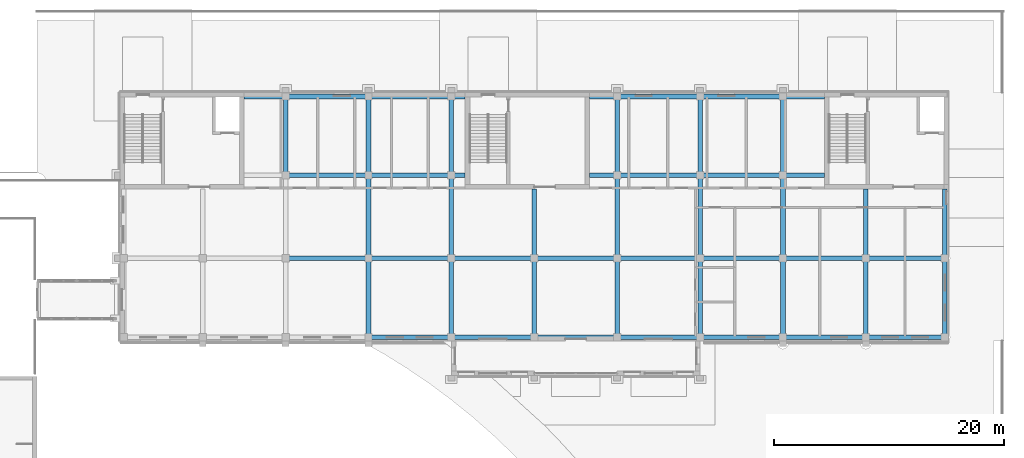
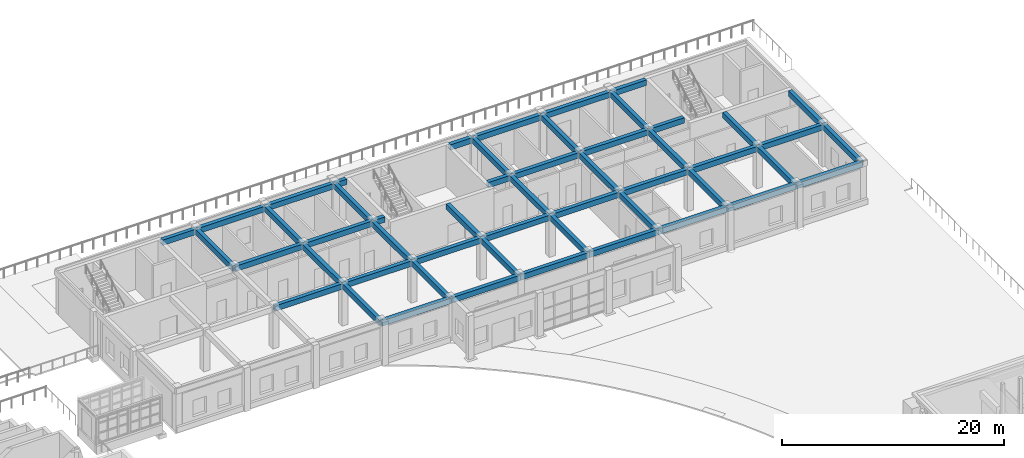
# One storey, part 57 of 131: 52 beams.
"""IFC4 building model written with IfcOpenShell, lengths in metres."""

from ifc_helpers import new_model, si_unit, direction, frame, origin, origin_2d, place, context, subcontext, project, spatial, rectangle, extrude, material, material_profile, profile_set, type_object, element, save


model = new_model("IFC4")

# Units and contexts
model_context = context("Model", 3, precision=1e-05, world=origin(), true_north=direction((0.0, 1.0)))
body_context = subcontext(model_context, "Body", "Model", "MODEL_VIEW")
ifc_project = project(units=[si_unit("LENGTHUNIT", "METRE"), si_unit("AREAUNIT", "SQUARE_METRE"), si_unit("VOLUMEUNIT", "CUBIC_METRE"), si_unit("PLANEANGLEUNIT", "RADIAN"), si_unit("MASSUNIT", "GRAM", prefix="KILO")], contexts=[model_context])

# Site, building, storey
site_placement = place(None, origin())
site = spatial("IfcSite", under=ifc_project, at=site_placement, CompositionType="ELEMENT")
building_placement = place(site_placement, origin())
building = spatial("IfcBuilding", under=site, at=building_placement, Name="Alderwick Market Hall", CompositionType="ELEMENT")
storey_placement = place(building_placement, frame((0.0, 0.0, 4.800048828125)))
storey = spatial("IfcBuildingStorey", under=building, at=storey_placement, Name="L00", CompositionType="ELEMENT", Elevation=4.800048828125)

# Beams
ifc_material = material(Name="Concrete 5000 psi (f'c 35 MPa)", Category="concrete")
ifc_material_profile = material_profile(ifc_material, rectangle(XDim=0.39990234375, YDim=0.60009765625, at=origin_2d()), Name="RC 400x600")
ifc_profile_set = profile_set([ifc_material_profile], Name="Concrete 5000 psi (f'c 35 MPa)")
beam_type = type_object("IfcBeamType", Name="F Floor Beam RC 400x600", PredefinedType="BEAM", material=ifc_profile_set)
for number, where, z_axis, x_axis, name in (
    (1, (180.0, 129.949951171875, 4.25), (1.0, 0.0, 0.0), (0.0, 1.0, 0.0), "F.beam.L00.004"),
    (2, (187.199951171875, 129.949951171875, 4.25), (1.0, 0.0, 0.0), (0.0, 1.0, 0.0), "F.beam.L00.005"),
):
    element("IfcBeam", number, at=place(storey_placement, frame(where, z_axis=z_axis, x_axis=x_axis)), inside=storey, type_object=beam_type, Name=name, PredefinedType="BEAM", context=body_context, shape_type="SweptSolid", body=[
        extrude(rectangle(XDim=0.39990234375, YDim=0.60009765625, at=origin_2d()), origin(), (0.0, 0.0, 1.0), 7.199951171875),
    ])
beam_1_placement = place(storey_placement, frame((194.39990234375, 129.949951171875, 4.25), z_axis=(1.0, 0.0, 0.0), x_axis=(0.0, 1.0, 0.0)))
element("IfcBeam", 3, at=beam_1_placement, inside=storey, type_object=beam_type, Name="F.beam.L00.006", PredefinedType="BEAM", context=body_context, shape_type="SweptSolid", body=[
    extrude(rectangle(XDim=0.39990234375, YDim=0.60009765625, at=origin_2d()), origin(), (0.0, 0.0, 1.0), 7.2001953125),
])
for number, where, z_axis, x_axis, name in (
    (4, (201.60009765625, 129.949951171875, 4.25), (1.0, 0.0, 0.0), (0.0, 1.0, 0.0), "F.beam.L00.007"),
    (5, (208.800048828125, 129.949951171875, 4.25), (1.0, 0.0, 0.0), (0.0, 1.0, 0.0), "F.beam.L00.008"),
    (6, (216.0, 129.949951171875, 4.25), (1.0, 0.0, 0.0), (0.0, 1.0, 0.0), "F.beam.L00.009"),
):
    element("IfcBeam", number, at=place(storey_placement, frame(where, z_axis=z_axis, x_axis=x_axis)), inside=storey, type_object=beam_type, Name=name, PredefinedType="BEAM", context=body_context, shape_type="SweptSolid", body=[
        extrude(rectangle(XDim=0.39990234375, YDim=0.60009765625, at=origin_2d()), origin(), (0.0, 0.0, 1.0), 7.199951171875),
    ])
beam_2_placement = place(storey_placement, frame((223.199951171875, 129.949951171875, 4.25), z_axis=(1.0, 0.0, 0.0), x_axis=(0.0, 1.0, 0.0)))
element("IfcBeam", 7, at=beam_2_placement, inside=storey, type_object=beam_type, Name="F.beam.L00.010", PredefinedType="BEAM", context=body_context, shape_type="SweptSolid", body=[
    extrude(rectangle(XDim=0.39990234375, YDim=0.60009765625, at=origin_2d()), origin(), (0.0, 0.0, 1.0), 6.85009765625),
])
for number, where, z_axis, x_axis, name in (
    (8, (172.800048828125, 136.800048828125, 4.25), (1.0, 0.0, 0.0), (0.0, 1.0, 0.0), "F.beam.L00.013"),
    (9, (180.0, 136.800048828125, 4.25), (1.0, 0.0, 0.0), (0.0, 1.0, 0.0), "F.beam.L00.014"),
    (10, (187.199951171875, 136.800048828125, 4.25), (1.0, 0.0, 0.0), (0.0, 1.0, 0.0), "F.beam.L00.015"),
):
    element("IfcBeam", number, at=place(storey_placement, frame(where, z_axis=z_axis, x_axis=x_axis)), inside=storey, type_object=beam_type, Name=name, PredefinedType="BEAM", context=body_context, shape_type="SweptSolid", body=[
        extrude(rectangle(XDim=0.39990234375, YDim=0.60009765625, at=origin_2d()), origin(), (0.0, 0.0, 1.0), 7.199951171875),
    ])
beam_3_placement = place(storey_placement, frame((194.39990234375, 136.800048828125, 4.25), z_axis=(1.0, 0.0, 0.0), x_axis=(0.0, 1.0, 0.0)))
element("IfcBeam", 11, at=beam_3_placement, inside=storey, type_object=beam_type, Name="F.beam.L00.016", PredefinedType="BEAM", context=body_context, shape_type="SweptSolid", body=[
    extrude(rectangle(XDim=0.39990234375, YDim=0.60009765625, at=origin_2d()), origin(), (0.0, 0.0, 1.0), 7.2001953125),
])
for number, where, z_axis, x_axis, name in (
    (12, (201.60009765625, 136.800048828125, 4.25), (1.0, 0.0, 0.0), (0.0, 1.0, 0.0), "F.beam.L00.017"),
    (13, (208.800048828125, 136.800048828125, 4.25), (1.0, 0.0, 0.0), (0.0, 1.0, 0.0), "F.beam.L00.018"),
    (14, (216.0, 136.800048828125, 4.25), (1.0, 0.0, 0.0), (0.0, 1.0, 0.0), "F.beam.L00.019"),
):
    element("IfcBeam", number, at=place(storey_placement, frame(where, z_axis=z_axis, x_axis=x_axis)), inside=storey, type_object=beam_type, Name=name, PredefinedType="BEAM", context=body_context, shape_type="SweptSolid", body=[
        extrude(rectangle(XDim=0.39990234375, YDim=0.60009765625, at=origin_2d()), origin(), (0.0, 0.0, 1.0), 7.199951171875),
    ])
beam_4_placement = place(storey_placement, frame((223.199951171875, 136.800048828125, 4.25), z_axis=(1.0, 0.0, 0.0), x_axis=(0.0, 1.0, 0.0)))
element("IfcBeam", 15, at=beam_4_placement, inside=storey, type_object=beam_type, Name="F.beam.L00.020", PredefinedType="BEAM", context=body_context, shape_type="SweptSolid", body=[
    extrude(rectangle(XDim=0.39990234375, YDim=0.60009765625, at=origin_2d()), origin(), (0.0, 0.0, 1.0), 6.85009765625),
])
for number, where, z_axis, x_axis, name in (
    (16, (172.800048828125, 144.0, 4.25), (1.0, 0.0, 0.0), (0.0, 1.0, 0.0), "F.beam.L00.022"),
    (17, (180.0, 144.0, 4.25), (1.0, 0.0, 0.0), (0.0, 1.0, 0.0), "F.beam.L00.023"),
):
    element("IfcBeam", number, at=place(storey_placement, frame(where, z_axis=z_axis, x_axis=x_axis)), inside=storey, type_object=beam_type, Name=name, PredefinedType="BEAM", context=body_context, shape_type="SweptSolid", body=[
        extrude(rectangle(XDim=0.39990234375, YDim=0.60009765625, at=origin_2d()), origin(), (0.0, 0.0, 1.0), 7.199951171875),
    ])
beam_5_placement = place(storey_placement, frame((187.199951171875, 144.0, 4.25), z_axis=(1.0, 0.0, 0.0), x_axis=(0.0, 1.0, 0.0)))
element("IfcBeam", 18, at=beam_5_placement, inside=storey, type_object=beam_type, Name="F.beam.L00.024", PredefinedType="BEAM", context=body_context, shape_type="SweptSolid", body=[
    extrude(rectangle(XDim=0.39990234375, YDim=0.60009765625, at=origin_2d()), origin(), (0.0, 0.0, 1.0), 1.200927734375),
])
beam_6_placement = place(storey_placement, frame((199.198974609375, 144.0, 4.25), z_axis=(1.0, 0.0, 0.0), x_axis=(0.0, 1.0, 0.0)))
element("IfcBeam", 19, at=beam_6_placement, inside=storey, type_object=beam_type, Name="F.beam.L00.025", PredefinedType="BEAM", context=body_context, shape_type="SweptSolid", body=[
    extrude(rectangle(XDim=0.39990234375, YDim=0.60009765625, at=origin_2d()), origin(), (0.0, 0.0, 1.0), 2.401123046875),
])
for number, where, z_axis, x_axis, name in (
    (20, (201.60009765625, 144.0, 4.25), (1.0, 0.0, 0.0), (0.0, 1.0, 0.0), "F.beam.L00.026"),
    (21, (208.800048828125, 144.0, 4.25), (1.0, 0.0, 0.0), (0.0, 1.0, 0.0), "F.beam.L00.027"),
):
    element("IfcBeam", number, at=place(storey_placement, frame(where, z_axis=z_axis, x_axis=x_axis)), inside=storey, type_object=beam_type, Name=name, PredefinedType="BEAM", context=body_context, shape_type="SweptSolid", body=[
        extrude(rectangle(XDim=0.39990234375, YDim=0.60009765625, at=origin_2d()), origin(), (0.0, 0.0, 1.0), 7.199951171875),
    ])
for number, where, z_axis, x_axis, name in (
    (22, (216.0, 144.0, 4.25), (1.0, 0.0, 0.0), (0.0, 1.0, 0.0), "F.beam.L00.028"),
    (23, (169.198974609375, 150.85009765625, 4.25), (1.0, 0.0, 0.0), (0.0, 1.0, 0.0), "F.beam.L00.029"),
):
    element("IfcBeam", number, at=place(storey_placement, frame(where, z_axis=z_axis, x_axis=x_axis)), inside=storey, type_object=beam_type, Name=name, PredefinedType="BEAM", context=body_context, shape_type="SweptSolid", body=[
        extrude(rectangle(XDim=0.39990234375, YDim=0.60009765625, at=origin_2d()), origin(), (0.0, 0.0, 1.0), 3.60107421875),
    ])
for number, where, z_axis, x_axis, name in (
    (24, (172.800048828125, 150.85009765625, 4.25), (1.0, 0.0, 0.0), (0.0, 1.0, 0.0), "F.beam.L00.030"),
    (25, (180.0, 150.85009765625, 4.25), (1.0, 0.0, 0.0), (0.0, 1.0, 0.0), "F.beam.L00.031"),
):
    element("IfcBeam", number, at=place(storey_placement, frame(where, z_axis=z_axis, x_axis=x_axis)), inside=storey, type_object=beam_type, Name=name, PredefinedType="BEAM", context=body_context, shape_type="SweptSolid", body=[
        extrude(rectangle(XDim=0.39990234375, YDim=0.60009765625, at=origin_2d()), origin(), (0.0, 0.0, 1.0), 7.199951171875),
    ])
beam_7_placement = place(storey_placement, frame((187.199951171875, 150.85009765625, 4.25), z_axis=(1.0, 0.0, 0.0), x_axis=(0.0, 1.0, 0.0)))
element("IfcBeam", 26, at=beam_7_placement, inside=storey, type_object=beam_type, Name="F.beam.L00.032", PredefinedType="BEAM", context=body_context, shape_type="SweptSolid", body=[
    extrude(rectangle(XDim=0.39990234375, YDim=0.60009765625, at=origin_2d()), origin(), (0.0, 0.0, 1.0), 1.200927734375),
])
beam_8_placement = place(storey_placement, frame((199.198974609375, 150.85009765625, 4.25), z_axis=(1.0, 0.0, 0.0), x_axis=(0.0, 1.0, 0.0)))
element("IfcBeam", 27, at=beam_8_placement, inside=storey, type_object=beam_type, Name="F.beam.L00.033", PredefinedType="BEAM", context=body_context, shape_type="SweptSolid", body=[
    extrude(rectangle(XDim=0.39990234375, YDim=0.60009765625, at=origin_2d()), origin(), (0.0, 0.0, 1.0), 2.401123046875),
])
for number, where, z_axis, x_axis, name in (
    (28, (201.60009765625, 150.85009765625, 4.25), (1.0, 0.0, 0.0), (0.0, 1.0, 0.0), "F.beam.L00.034"),
    (29, (208.800048828125, 150.85009765625, 4.25), (1.0, 0.0, 0.0), (0.0, 1.0, 0.0), "F.beam.L00.035"),
):
    element("IfcBeam", number, at=place(storey_placement, frame(where, z_axis=z_axis, x_axis=x_axis)), inside=storey, type_object=beam_type, Name=name, PredefinedType="BEAM", context=body_context, shape_type="SweptSolid", body=[
        extrude(rectangle(XDim=0.39990234375, YDim=0.60009765625, at=origin_2d()), origin(), (0.0, 0.0, 1.0), 7.199951171875),
    ])
beam_9_placement = place(storey_placement, frame((216.0, 150.85009765625, 4.25), z_axis=(1.0, 0.0, 0.0), x_axis=(0.0, 1.0, 0.0)))
element("IfcBeam", 30, at=beam_9_placement, inside=storey, type_object=beam_type, Name="F.beam.L00.036", PredefinedType="BEAM", context=body_context, shape_type="SweptSolid", body=[
    extrude(rectangle(XDim=0.39990234375, YDim=0.60009765625, at=origin_2d()), origin(), (0.0, 0.0, 1.0), 3.60107421875),
])
for number, where, z_axis, x_axis, name in (
    (31, (172.800048828125, 144.0, 4.25), (0.0, 1.0, 0.0), (-1.0, 0.0, 0.0), "F.beam.L00.043"),
    (32, (180.0, 129.949951171875, 4.25), (0.0, 1.0, 0.0), (-1.0, 0.0, 0.0), "F.beam.L00.044"),
):
    element("IfcBeam", number, at=place(storey_placement, frame(where, z_axis=z_axis, x_axis=x_axis)), inside=storey, type_object=beam_type, Name=name, PredefinedType="BEAM", context=body_context, shape_type="SweptSolid", body=[
        extrude(rectangle(XDim=0.39990234375, YDim=0.60009765625, at=origin_2d()), origin(), (0.0, 0.0, 1.0), 6.85009765625),
    ])
beam_10_placement = place(storey_placement, frame((180.0, 136.800048828125, 4.25), z_axis=(0.0, 1.0, 0.0), x_axis=(-1.0, 0.0, 0.0)))
element("IfcBeam", 33, at=beam_10_placement, inside=storey, type_object=beam_type, Name="F.beam.L00.045", PredefinedType="BEAM", context=body_context, shape_type="SweptSolid", body=[
    extrude(rectangle(XDim=0.39990234375, YDim=0.60009765625, at=origin_2d()), origin(), (0.0, 0.0, 1.0), 7.199951171875),
])
for number, where, z_axis, x_axis, name in (
    (34, (180.0, 144.0, 4.25), (0.0, 1.0, 0.0), (-1.0, 0.0, 0.0), "F.beam.L00.046"),
    (35, (187.199951171875, 129.949951171875, 4.25), (0.0, 1.0, 0.0), (-1.0, 0.0, 0.0), "F.beam.L00.047"),
):
    element("IfcBeam", number, at=place(storey_placement, frame(where, z_axis=z_axis, x_axis=x_axis)), inside=storey, type_object=beam_type, Name=name, PredefinedType="BEAM", context=body_context, shape_type="SweptSolid", body=[
        extrude(rectangle(XDim=0.39990234375, YDim=0.60009765625, at=origin_2d()), origin(), (0.0, 0.0, 1.0), 6.85009765625),
    ])
beam_11_placement = place(storey_placement, frame((187.199951171875, 136.800048828125, 4.25), z_axis=(0.0, 1.0, 0.0), x_axis=(-1.0, 0.0, 0.0)))
element("IfcBeam", 36, at=beam_11_placement, inside=storey, type_object=beam_type, Name="F.beam.L00.048", PredefinedType="BEAM", context=body_context, shape_type="SweptSolid", body=[
    extrude(rectangle(XDim=0.39990234375, YDim=0.60009765625, at=origin_2d()), origin(), (0.0, 0.0, 1.0), 7.199951171875),
])
for number, where, z_axis, x_axis, name in (
    (37, (187.199951171875, 144.0, 4.25), (0.0, 1.0, 0.0), (-1.0, 0.0, 0.0), "F.beam.L00.049"),
    (38, (194.39990234375, 129.949951171875, 4.25), (0.0, 1.0, 0.0), (-1.0, 0.0, 0.0), "F.beam.L00.050"),
):
    element("IfcBeam", number, at=place(storey_placement, frame(where, z_axis=z_axis, x_axis=x_axis)), inside=storey, type_object=beam_type, Name=name, PredefinedType="BEAM", context=body_context, shape_type="SweptSolid", body=[
        extrude(rectangle(XDim=0.39990234375, YDim=0.60009765625, at=origin_2d()), origin(), (0.0, 0.0, 1.0), 6.85009765625),
    ])
beam_12_placement = place(storey_placement, frame((194.39990234375, 136.800048828125, 4.25), z_axis=(0.0, 1.0, 0.0), x_axis=(-1.0, 0.0, 0.0)))
element("IfcBeam", 39, at=beam_12_placement, inside=storey, type_object=beam_type, Name="F.beam.L00.051", PredefinedType="BEAM", context=body_context, shape_type="SweptSolid", body=[
    extrude(rectangle(XDim=0.39990234375, YDim=0.60009765625, at=origin_2d()), origin(), (0.0, 0.0, 1.0), 6.0009765625),
])
beam_13_placement = place(storey_placement, frame((201.60009765625, 129.949951171875, 4.25), z_axis=(0.0, 1.0, 0.0), x_axis=(-1.0, 0.0, 0.0)))
element("IfcBeam", 40, at=beam_13_placement, inside=storey, type_object=beam_type, Name="F.beam.L00.052", PredefinedType="BEAM", context=body_context, shape_type="SweptSolid", body=[
    extrude(rectangle(XDim=0.39990234375, YDim=0.60009765625, at=origin_2d()), origin(), (0.0, 0.0, 1.0), 6.85009765625),
])
beam_14_placement = place(storey_placement, frame((201.60009765625, 136.800048828125, 4.25), z_axis=(0.0, 1.0, 0.0), x_axis=(-1.0, 0.0, 0.0)))
element("IfcBeam", 41, at=beam_14_placement, inside=storey, type_object=beam_type, Name="F.beam.L00.053", PredefinedType="BEAM", context=body_context, shape_type="SweptSolid", body=[
    extrude(rectangle(XDim=0.39990234375, YDim=0.60009765625, at=origin_2d()), origin(), (0.0, 0.0, 1.0), 7.199951171875),
])
for number, where, z_axis, x_axis, name in (
    (42, (201.60009765625, 144.0, 4.25), (0.0, 1.0, 0.0), (-1.0, 0.0, 0.0), "F.beam.L00.054"),
    (43, (208.800048828125, 129.949951171875, 4.25), (0.0, 1.0, 0.0), (-1.0, 0.0, 0.0), "F.beam.L00.055"),
):
    element("IfcBeam", number, at=place(storey_placement, frame(where, z_axis=z_axis, x_axis=x_axis)), inside=storey, type_object=beam_type, Name=name, PredefinedType="BEAM", context=body_context, shape_type="SweptSolid", body=[
        extrude(rectangle(XDim=0.39990234375, YDim=0.60009765625, at=origin_2d()), origin(), (0.0, 0.0, 1.0), 6.85009765625),
    ])
beam_15_placement = place(storey_placement, frame((208.800048828125, 136.800048828125, 4.25), z_axis=(0.0, 1.0, 0.0), x_axis=(-1.0, 0.0, 0.0)))
element("IfcBeam", 44, at=beam_15_placement, inside=storey, type_object=beam_type, Name="F.beam.L00.056", PredefinedType="BEAM", context=body_context, shape_type="SweptSolid", body=[
    extrude(rectangle(XDim=0.39990234375, YDim=0.60009765625, at=origin_2d()), origin(), (0.0, 0.0, 1.0), 7.199951171875),
])
for number, where, z_axis, x_axis, name in (
    (45, (208.800048828125, 144.0, 4.25), (0.0, 1.0, 0.0), (-1.0, 0.0, 0.0), "F.beam.L00.057"),
    (46, (216.0, 129.949951171875, 4.25), (0.0, 1.0, 0.0), (-1.0, 0.0, 0.0), "F.beam.L00.058"),
):
    element("IfcBeam", number, at=place(storey_placement, frame(where, z_axis=z_axis, x_axis=x_axis)), inside=storey, type_object=beam_type, Name=name, PredefinedType="BEAM", context=body_context, shape_type="SweptSolid", body=[
        extrude(rectangle(XDim=0.39990234375, YDim=0.60009765625, at=origin_2d()), origin(), (0.0, 0.0, 1.0), 6.85009765625),
    ])
beam_16_placement = place(storey_placement, frame((216.0, 136.800048828125, 4.25), z_axis=(0.0, 1.0, 0.0), x_axis=(-1.0, 0.0, 0.0)))
element("IfcBeam", 47, at=beam_16_placement, inside=storey, type_object=beam_type, Name="F.beam.L00.059", PredefinedType="BEAM", context=body_context, shape_type="SweptSolid", body=[
    extrude(rectangle(XDim=0.39990234375, YDim=0.60009765625, at=origin_2d()), origin(), (0.0, 0.0, 1.0), 7.199951171875),
])
for number, where, z_axis, x_axis, name in (
    (48, (216.0, 144.0, 4.25), (0.0, 1.0, 0.0), (-1.0, 0.0, 0.0), "F.beam.L00.060"),
    (49, (223.199951171875, 129.949951171875, 4.25), (0.0, 1.0, 0.0), (-1.0, 0.0, 0.0), "F.beam.L00.061"),
):
    element("IfcBeam", number, at=place(storey_placement, frame(where, z_axis=z_axis, x_axis=x_axis)), inside=storey, type_object=beam_type, Name=name, PredefinedType="BEAM", context=body_context, shape_type="SweptSolid", body=[
        extrude(rectangle(XDim=0.39990234375, YDim=0.60009765625, at=origin_2d()), origin(), (0.0, 0.0, 1.0), 6.85009765625),
    ])
beam_17_placement = place(storey_placement, frame((223.199951171875, 136.800048828125, 4.25), z_axis=(0.0, 1.0, 0.0), x_axis=(-1.0, 0.0, 0.0)))
element("IfcBeam", 50, at=beam_17_placement, inside=storey, type_object=beam_type, Name="F.beam.L00.062", PredefinedType="BEAM", context=body_context, shape_type="SweptSolid", body=[
    extrude(rectangle(XDim=0.39990234375, YDim=0.60009765625, at=origin_2d()), origin(), (0.0, 0.0, 1.0), 6.0009765625),
])
beam_18_placement = place(storey_placement, frame((230.050048828125, 129.949951171875, 4.25), z_axis=(0.0, 1.0, 0.0), x_axis=(-1.0, 0.0, 0.0)))
element("IfcBeam", 51, at=beam_18_placement, inside=storey, type_object=beam_type, Name="F.beam.L00.063", PredefinedType="BEAM", context=body_context, shape_type="SweptSolid", body=[
    extrude(rectangle(XDim=0.39990234375, YDim=0.60009765625, at=origin_2d()), origin(), (0.0, 0.0, 1.0), 6.85009765625),
])
beam_19_placement = place(storey_placement, frame((230.050048828125, 136.800048828125, 4.25), z_axis=(0.0, 1.0, 0.0), x_axis=(-1.0, 0.0, 0.0)))
element("IfcBeam", 52, at=beam_19_placement, inside=storey, type_object=beam_type, Name="F.beam.L00.064", PredefinedType="BEAM", context=body_context, shape_type="SweptSolid", body=[
    extrude(rectangle(XDim=0.39990234375, YDim=0.60009765625, at=origin_2d()), origin(), (0.0, 0.0, 1.0), 6.0009765625),
])

save(model, "model.ifc")
